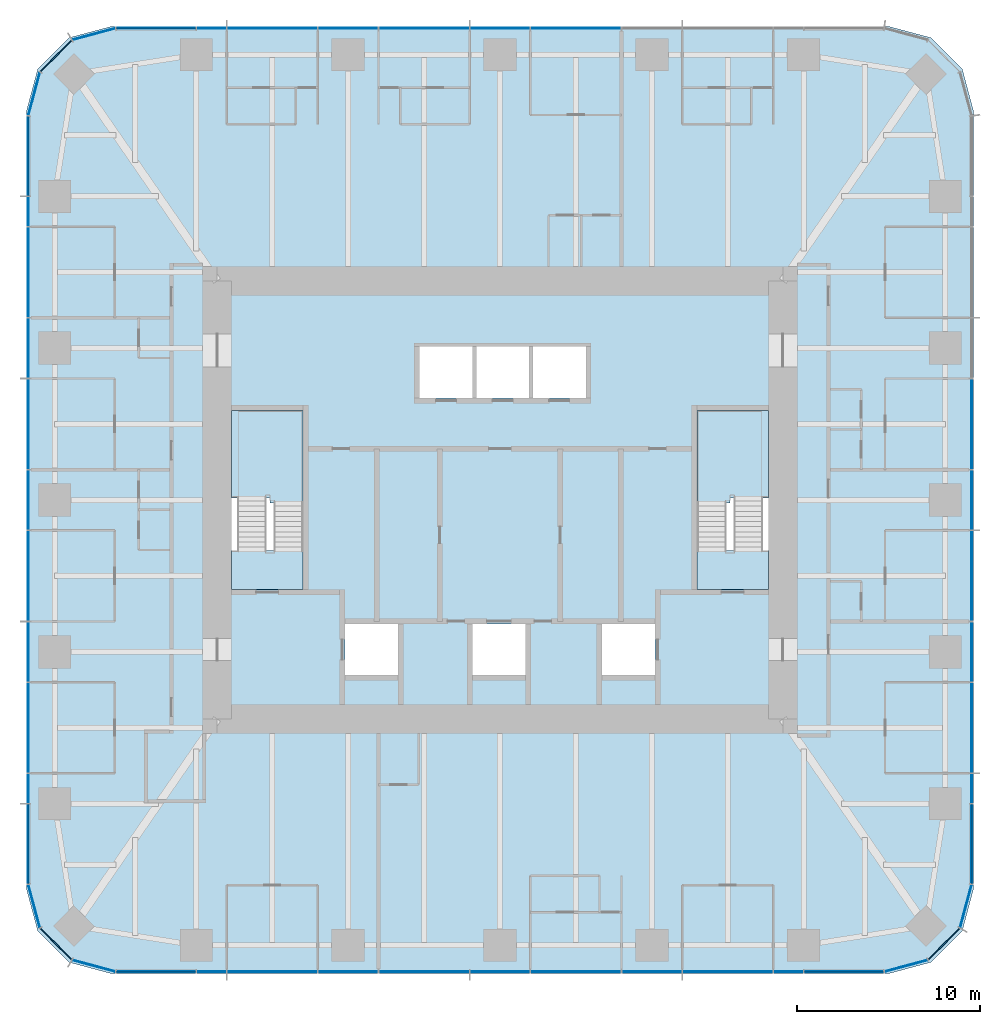
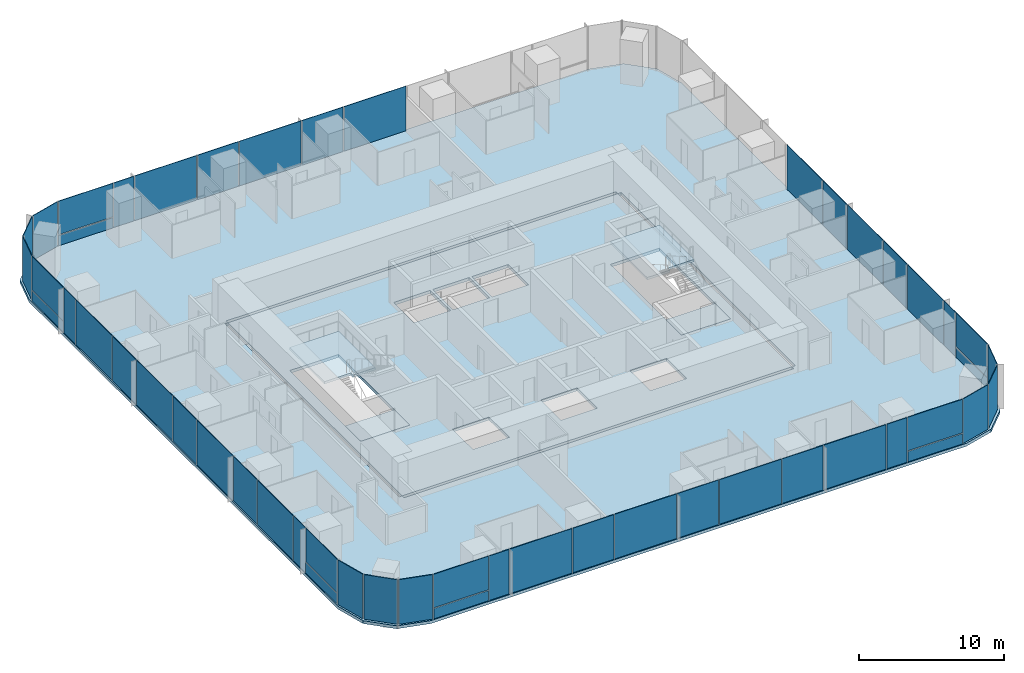
# One storey, part 7 of 12: 51 plates, 6 slabs, 9 elements without a shape of their own.
"""IFC4 building model written with IfcOpenShell, lengths in metres."""

from ifc_helpers import new_model, si_unit, direction, frame, origin, origin_2d, place, context, subcontext, project, spatial, polyline, rectangle, outline, extrude, material, layer, layer_set, type_object, element, aggregate, save


model = new_model("IFC4")

# Units and contexts
model_context = context("Model", 3, precision=1e-05, world=origin(), true_north=direction((0.0, 1.0)))
body_context = subcontext(model_context, "Body", "Model", "MODEL_VIEW")
ifc_project = project(units=[si_unit("LENGTHUNIT", "METRE"), si_unit("AREAUNIT", "SQUARE_METRE"), si_unit("VOLUMEUNIT", "CUBIC_METRE"), si_unit("PLANEANGLEUNIT", "RADIAN"), si_unit("MASSUNIT", "GRAM", prefix="KILO")], contexts=[model_context])

# Site, building, storey
site_placement = place(None, origin())
site = spatial("IfcSite", under=ifc_project, at=site_placement, CompositionType="ELEMENT")
building_placement = place(site_placement, origin())
building = spatial("IfcBuilding", under=site, at=building_placement, Name="Khuree Lantern Residences", CompositionType="ELEMENT")
storey_placement = place(building_placement, frame((0.0, 0.0, 244.5)))
storey = spatial("IfcBuildingStorey", under=building, at=storey_placement, Name="L61", CompositionType="ELEMENT", Elevation=244.5)

# Slab
ifc_material_1 = material(Name="Concrete C35/45", Category="concrete")
ifc_layer_1 = layer(ifc_material_1, 0.25)
ifc_layer_set_1 = layer_set([ifc_layer_1], Name="CFL250 CORE FLOOR SLAB 250")
slab_type_1 = type_object("IfcSlabType", Name="CFL250 CORE FLOOR SLAB 250", PredefinedType="FLOOR", material=ifc_layer_set_1)
slab_1_placement = place(storey_placement, frame((0.0, 0.0, -0.25)))
element("IfcSlab", 1, at=slab_1_placement, inside=storey, type_object=slab_type_1, Name="Core floor L61", PredefinedType="FLOOR", context=body_context, shape_type="SweptSolid", body=[
    extrude(outline(polyline([(-15.5, -12.0), (-15.5, 12.0), (15.5, 12.0), (15.5, -12.0), (-15.5, -12.0)]), holes=[polyline([(10.800048828125, 4.89990234375), (10.800048828125, -4.89990234375), (14.699951171875, -4.89990234375), (14.699951171875, 4.89990234375), (10.800048828125, 4.89990234375)]), polyline([(5.60009765625, -6.800048828125), (5.60009765625, -9.60009765625), (8.5, -9.60009765625), (8.5, -6.800048828125), (5.60009765625, -6.800048828125)]), polyline([(1.800048828125, 8.39990234375), (1.800048828125, 5.60009765625), (4.699951171875, 5.60009765625), (4.699951171875, 8.39990234375), (1.800048828125, 8.39990234375)]), polyline([(-1.300048828125, 8.39990234375), (-1.300048828125, 5.60009765625), (1.60009765625, 5.60009765625), (1.60009765625, 8.39990234375), (-1.300048828125, 8.39990234375)]), polyline([(-1.5, -6.800048828125), (-1.5, -9.60009765625), (1.39990234375, -9.60009765625), (1.39990234375, -6.800048828125), (-1.5, -6.800048828125)]), polyline([(-4.39990234375, 8.39990234375), (-4.39990234375, 5.60009765625), (-1.5, 5.60009765625), (-1.5, 8.39990234375), (-4.39990234375, 8.39990234375)]), polyline([(-8.5, -6.800048828125), (-8.5, -9.60009765625), (-5.60009765625, -9.60009765625), (-5.60009765625, -6.800048828125), (-8.5, -6.800048828125)]), polyline([(-14.699951171875, 4.89990234375), (-14.699951171875, -4.89990234375), (-10.800048828125, -4.89990234375), (-10.800048828125, 4.89990234375), (-14.699951171875, 4.89990234375)])]), origin(), (0.0, 0.0, 1.0), 0.25),
])

# Curtain wall, plates
ifc_material_2 = material(Name="Bronze anodised aluminium", Category="aluminium")
curtain_wall_type_1 = type_object("IfcCurtainWallType", Name="CW-T2 TOWER CORNER CURTAIN WALL", PredefinedType="USERDEFINED", material=ifc_material_2)
curtain_wall_1_placement = place(storey_placement, origin())
curtain_wall_1 = element("IfcCurtainWall", 2, at=curtain_wall_1_placement, inside=storey, type_object=curtain_wall_type_1, Name="L61 SOUTH-EAST CORNER CURTAIN WALL", ObjectType="Faceted corner curtain wall", PredefinedType="USERDEFINED")
ifc_material_3 = material(Name="Bronze tinted triple glazing", Category="glass")
ifc_layer_2 = layer(ifc_material_3, 0.048095703125)
ifc_layer_set_2 = layer_set([ifc_layer_2], Name="FACET PANEL P4")
plate_type_1 = type_object("IfcPlateType", Name="FACET PANEL P4", PredefinedType="CURTAIN_PANEL", material=ifc_layer_set_2)
plate_1_placement = place(storey_placement, frame((22.248046875, -25.529052734375, 0.0), z_axis=(0.0, 0.0, 1.0), x_axis=(0.965925832509, 0.258819021888, 0.0)))
plate_1 = element("IfcPlate", 3, at=plate_1_placement, type_object=plate_type_1, Name="L61 SOUTH-EAST CORNER PANEL 1.1", PredefinedType="CURTAIN_PANEL", context=body_context, shape_type="SweptSolid", body=[
    extrude(rectangle(XDim=2.40869140625, YDim=0.048095703125, at=origin_2d()), origin(), (0.0, 0.0, 1.0), 3.75),
])
plate_2_placement = place(storey_placement, frame((24.328369140625, -24.328369140625, 0.0), z_axis=(0.0, 0.0, 1.0), x_axis=(0.707106781187, 0.707106781187, 0.0)))
plate_2 = element("IfcPlate", 4, at=plate_2_placement, type_object=plate_type_1, Name="L61 SOUTH-EAST CORNER PANEL 2.1", PredefinedType="CURTAIN_PANEL", context=body_context, shape_type="SweptSolid", body=[
    extrude(rectangle(XDim=2.404541015625, YDim=0.048095703125, at=origin_2d()), origin(), (0.0, 0.0, 1.0), 3.75),
])
plate_3_placement = place(storey_placement, frame((25.529052734375, -22.248046875, 0.0), z_axis=(0.0, 0.0, 1.0), x_axis=(0.258819021888, 0.965925832509, 0.0)))
plate_3 = element("IfcPlate", 5, at=plate_3_placement, type_object=plate_type_1, Name="L61 SOUTH-EAST CORNER PANEL 3.1", PredefinedType="CURTAIN_PANEL", context=body_context, shape_type="SweptSolid", body=[
    extrude(rectangle(XDim=2.40869140625, YDim=0.048095703125, at=origin_2d()), origin(), (0.0, 0.0, 1.0), 3.75),
])
aggregate(curtain_wall_1, [plate_1, plate_2, plate_3])

curtain_wall_2_placement = place(storey_placement, origin())
curtain_wall_2 = element("IfcCurtainWall", 6, at=curtain_wall_2_placement, inside=storey, type_object=curtain_wall_type_1, Name="L61 NORTH-WEST CORNER CURTAIN WALL", ObjectType="Faceted corner curtain wall", PredefinedType="USERDEFINED")
plate_4_placement = place(storey_placement, frame((-22.248046875, 25.529052734375, 0.0), z_axis=(0.0, 0.0, 1.0), x_axis=(-0.965925832509, -0.258819021888, 0.0)))
plate_4 = element("IfcPlate", 7, at=plate_4_placement, type_object=plate_type_1, Name="L61 NORTH-WEST CORNER PANEL 29.1", PredefinedType="CURTAIN_PANEL", context=body_context, shape_type="SweptSolid", body=[
    extrude(rectangle(XDim=2.40869140625, YDim=0.048095703125, at=origin_2d()), origin(), (0.0, 0.0, 1.0), 3.75),
])
plate_5_placement = place(storey_placement, frame((-24.328369140625, 24.328369140625, 0.0), z_axis=(0.0, 0.0, 1.0), x_axis=(-0.707106781187, -0.707106781187, 0.0)))
plate_5 = element("IfcPlate", 8, at=plate_5_placement, type_object=plate_type_1, Name="L61 NORTH-WEST CORNER PANEL 30.1", PredefinedType="CURTAIN_PANEL", context=body_context, shape_type="SweptSolid", body=[
    extrude(rectangle(XDim=2.404541015625, YDim=0.048095703125, at=origin_2d()), origin(), (0.0, 0.0, 1.0), 3.75),
])
plate_6_placement = place(storey_placement, frame((-25.529052734375, 22.248046875, 0.0), z_axis=(0.0, 0.0, 1.0), x_axis=(-0.258819021888, -0.965925832509, 0.0)))
plate_6 = element("IfcPlate", 9, at=plate_6_placement, type_object=plate_type_1, Name="L61 NORTH-WEST CORNER PANEL 31.1", PredefinedType="CURTAIN_PANEL", context=body_context, shape_type="SweptSolid", body=[
    extrude(rectangle(XDim=2.40869140625, YDim=0.048095703125, at=origin_2d()), origin(), (0.0, 0.0, 1.0), 3.75),
])
aggregate(curtain_wall_2, [plate_4, plate_5, plate_6])

curtain_wall_3_placement = place(storey_placement, origin())
curtain_wall_3 = element("IfcCurtainWall", 10, at=curtain_wall_3_placement, inside=storey, type_object=curtain_wall_type_1, Name="L61 SOUTH-WEST CORNER CURTAIN WALL", ObjectType="Faceted corner curtain wall", PredefinedType="USERDEFINED")
plate_7_placement = place(storey_placement, frame((-25.529052734375, -22.248046875, 0.0), z_axis=(0.0, 0.0, 1.0), x_axis=(0.258819021888, -0.965925832509, 0.0)))
plate_7 = element("IfcPlate", 11, at=plate_7_placement, type_object=plate_type_1, Name="L61 SOUTH-WEST CORNER PANEL 43.1", PredefinedType="CURTAIN_PANEL", context=body_context, shape_type="SweptSolid", body=[
    extrude(rectangle(XDim=2.40869140625, YDim=0.048095703125, at=origin_2d()), origin(), (0.0, 0.0, 1.0), 3.75),
])
plate_8_placement = place(storey_placement, frame((-24.328369140625, -24.328369140625, 0.0), z_axis=(0.0, 0.0, 1.0), x_axis=(0.707106781187, -0.707106781187, 0.0)))
plate_8 = element("IfcPlate", 12, at=plate_8_placement, type_object=plate_type_1, Name="L61 SOUTH-WEST CORNER PANEL 44.1", PredefinedType="CURTAIN_PANEL", context=body_context, shape_type="SweptSolid", body=[
    extrude(rectangle(XDim=2.404541015625, YDim=0.048095703125, at=origin_2d()), origin(), (0.0, 0.0, 1.0), 3.75),
])
plate_9_placement = place(storey_placement, frame((-22.248046875, -25.529052734375, 0.0), z_axis=(0.0, 0.0, 1.0), x_axis=(0.965925832509, -0.258819021888, 0.0)))
plate_9 = element("IfcPlate", 13, at=plate_9_placement, type_object=plate_type_1, Name="L61 SOUTH-WEST CORNER PANEL 45.1", PredefinedType="CURTAIN_PANEL", context=body_context, shape_type="SweptSolid", body=[
    extrude(rectangle(XDim=2.40869140625, YDim=0.048095703125, at=origin_2d()), origin(), (0.0, 0.0, 1.0), 3.75),
])
aggregate(curtain_wall_3, [plate_7, plate_8, plate_9])

curtain_wall_type_2 = type_object("IfcCurtainWallType", Name="CW-T1 TOWER FACE CURTAIN WALL", PredefinedType="USERDEFINED", material=ifc_material_2)
curtain_wall_4_placement = place(storey_placement, origin())
curtain_wall_4 = element("IfcCurtainWall", 14, at=curtain_wall_4_placement, inside=storey, type_object=curtain_wall_type_2, Name="L61 EAST FACE CURTAIN WALL", ObjectType="Stick-built curtain wall", PredefinedType="USERDEFINED")
ifc_material_4 = material(Name="Bronze tinted triple glazing with a ceramic-fritted spandrel band", Category="glass")
ifc_layer_3 = layer(ifc_material_4, 0.048095703125)
ifc_layer_set_3 = layer_set([ifc_layer_3], Name="FIXED LIGHT PANEL P11")
plate_type_2 = type_object("IfcPlateType", Name="FIXED LIGHT PANEL P11", PredefinedType="CURTAIN_PANEL", material=ifc_layer_set_3)
plate_10_placement = place(storey_placement, frame((25.85009765625, -12.47998046875, 0.0), z_axis=(0.0, 0.0, 1.0), x_axis=(0.0, 1.0, 0.0)))
plate_10 = element("IfcPlate", 15, at=plate_10_placement, type_object=plate_type_2, Name="L61 EAST FACE PANEL 6.1", PredefinedType="CURTAIN_PANEL", context=body_context, shape_type="SweptSolid", body=[
    extrude(rectangle(XDim=4.927001953125, YDim=0.048095703125, at=origin_2d()), origin(), (0.0, 0.0, 1.0), 3.75),
])
plate_11_placement = place(storey_placement, frame((25.85009765625, -4.159912109375, 0.0), z_axis=(0.0, 0.0, 1.0), x_axis=(0.0, 1.0, 0.0)))
plate_11 = element("IfcPlate", 16, at=plate_11_placement, type_object=plate_type_2, Name="L61 EAST FACE PANEL 8.1", PredefinedType="CURTAIN_PANEL", context=body_context, shape_type="SweptSolid", body=[
    extrude(rectangle(XDim=4.927001953125, YDim=0.048095703125, at=origin_2d()), origin(), (0.0, 0.0, 1.0), 3.75),
])
plate_12_placement = place(storey_placement, frame((25.85009765625, 4.159912109375, 0.0), z_axis=(0.0, 0.0, 1.0), x_axis=(0.0, 1.0, 0.0)))
plate_12 = element("IfcPlate", 17, at=plate_12_placement, type_object=plate_type_2, Name="L61 EAST FACE PANEL 10.1", PredefinedType="CURTAIN_PANEL", context=body_context, shape_type="SweptSolid", body=[
    extrude(rectangle(XDim=4.927001953125, YDim=0.048095703125, at=origin_2d()), origin(), (0.0, 0.0, 1.0), 3.75),
])

curtain_wall_5_placement = place(storey_placement, origin())
curtain_wall_5 = element("IfcCurtainWall", 18, at=curtain_wall_5_placement, inside=storey, type_object=curtain_wall_type_2, Name="L61 NORTH FACE CURTAIN WALL", ObjectType="Stick-built curtain wall", PredefinedType="USERDEFINED")
plate_13_placement = place(storey_placement, frame((4.159912109375, 25.85009765625, 0.0), z_axis=(0.0, 0.0, 1.0), x_axis=(-1.0, 0.0, 0.0)))
plate_13 = element("IfcPlate", 19, at=plate_13_placement, type_object=plate_type_2, Name="L61 NORTH FACE PANEL 22.1", PredefinedType="CURTAIN_PANEL", context=body_context, shape_type="SweptSolid", body=[
    extrude(rectangle(XDim=4.927001953125, YDim=0.048095703125, at=origin_2d()), origin(), (0.0, 0.0, 1.0), 3.75),
])
plate_14_placement = place(storey_placement, frame((-4.159912109375, 25.85009765625, 0.0), z_axis=(0.0, 0.0, 1.0), x_axis=(-1.0, 0.0, 0.0)))
plate_14 = element("IfcPlate", 20, at=plate_14_placement, type_object=plate_type_2, Name="L61 NORTH FACE PANEL 24.1", PredefinedType="CURTAIN_PANEL", context=body_context, shape_type="SweptSolid", body=[
    extrude(rectangle(XDim=4.927001953125, YDim=0.048095703125, at=origin_2d()), origin(), (0.0, 0.0, 1.0), 3.75),
])
plate_15_placement = place(storey_placement, frame((-12.47998046875, 25.85009765625, 0.0), z_axis=(0.0, 0.0, 1.0), x_axis=(-1.0, 0.0, 0.0)))
plate_15 = element("IfcPlate", 21, at=plate_15_placement, type_object=plate_type_2, Name="L61 NORTH FACE PANEL 26.1", PredefinedType="CURTAIN_PANEL", context=body_context, shape_type="SweptSolid", body=[
    extrude(rectangle(XDim=4.927001953125, YDim=0.048095703125, at=origin_2d()), origin(), (0.0, 0.0, 1.0), 3.75),
])

curtain_wall_6_placement = place(storey_placement, origin())
curtain_wall_6 = element("IfcCurtainWall", 22, at=curtain_wall_6_placement, inside=storey, type_object=curtain_wall_type_2, Name="L61 WEST FACE CURTAIN WALL", ObjectType="Stick-built curtain wall", PredefinedType="USERDEFINED")
plate_16_placement = place(storey_placement, frame((-25.85009765625, 12.47998046875, 0.0), z_axis=(0.0, 0.0, 1.0), x_axis=(0.0, -1.0, 0.0)))
plate_16 = element("IfcPlate", 23, at=plate_16_placement, type_object=plate_type_2, Name="L61 WEST FACE PANEL 34.1", PredefinedType="CURTAIN_PANEL", context=body_context, shape_type="SweptSolid", body=[
    extrude(rectangle(XDim=4.927001953125, YDim=0.048095703125, at=origin_2d()), origin(), (0.0, 0.0, 1.0), 3.75),
])
plate_17_placement = place(storey_placement, frame((-25.85009765625, 4.159912109375, 0.0), z_axis=(0.0, 0.0, 1.0), x_axis=(0.0, -1.0, 0.0)))
plate_17 = element("IfcPlate", 24, at=plate_17_placement, type_object=plate_type_2, Name="L61 WEST FACE PANEL 36.1", PredefinedType="CURTAIN_PANEL", context=body_context, shape_type="SweptSolid", body=[
    extrude(rectangle(XDim=4.927001953125, YDim=0.048095703125, at=origin_2d()), origin(), (0.0, 0.0, 1.0), 3.75),
])
plate_18_placement = place(storey_placement, frame((-25.85009765625, -4.159912109375, 0.0), z_axis=(0.0, 0.0, 1.0), x_axis=(0.0, -1.0, 0.0)))
plate_18 = element("IfcPlate", 25, at=plate_18_placement, type_object=plate_type_2, Name="L61 WEST FACE PANEL 38.1", PredefinedType="CURTAIN_PANEL", context=body_context, shape_type="SweptSolid", body=[
    extrude(rectangle(XDim=4.927001953125, YDim=0.048095703125, at=origin_2d()), origin(), (0.0, 0.0, 1.0), 3.75),
])
plate_19_placement = place(storey_placement, frame((-25.85009765625, -12.47998046875, 0.0), z_axis=(0.0, 0.0, 1.0), x_axis=(0.0, -1.0, 0.0)))
plate_19 = element("IfcPlate", 26, at=plate_19_placement, type_object=plate_type_2, Name="L61 WEST FACE PANEL 40.1", PredefinedType="CURTAIN_PANEL", context=body_context, shape_type="SweptSolid", body=[
    extrude(rectangle(XDim=4.927001953125, YDim=0.048095703125, at=origin_2d()), origin(), (0.0, 0.0, 1.0), 3.75),
])

curtain_wall_7_placement = place(storey_placement, origin())
curtain_wall_7 = element("IfcCurtainWall", 27, at=curtain_wall_7_placement, inside=storey, type_object=curtain_wall_type_2, Name="L61 SOUTH FACE CURTAIN WALL", ObjectType="Stick-built curtain wall", PredefinedType="USERDEFINED")
plate_20_placement = place(storey_placement, frame((-12.47998046875, -25.85009765625, 0.0), z_axis=(0.0, 0.0, 1.0), x_axis=(1.0, 0.0, 0.0)))
plate_20 = element("IfcPlate", 28, at=plate_20_placement, type_object=plate_type_2, Name="L61 SOUTH FACE PANEL 48.1", PredefinedType="CURTAIN_PANEL", context=body_context, shape_type="SweptSolid", body=[
    extrude(rectangle(XDim=4.927001953125, YDim=0.048095703125, at=origin_2d()), origin(), (0.0, 0.0, 1.0), 3.75),
])
plate_21_placement = place(storey_placement, frame((-4.159912109375, -25.85009765625, 0.0), z_axis=(0.0, 0.0, 1.0), x_axis=(1.0, 0.0, 0.0)))
plate_21 = element("IfcPlate", 29, at=plate_21_placement, type_object=plate_type_2, Name="L61 SOUTH FACE PANEL 50.1", PredefinedType="CURTAIN_PANEL", context=body_context, shape_type="SweptSolid", body=[
    extrude(rectangle(XDim=4.927001953125, YDim=0.048095703125, at=origin_2d()), origin(), (0.0, 0.0, 1.0), 3.75),
])
plate_22_placement = place(storey_placement, frame((4.159912109375, -25.85009765625, 0.0), z_axis=(0.0, 0.0, 1.0), x_axis=(1.0, 0.0, 0.0)))
plate_22 = element("IfcPlate", 30, at=plate_22_placement, type_object=plate_type_2, Name="L61 SOUTH FACE PANEL 52.1", PredefinedType="CURTAIN_PANEL", context=body_context, shape_type="SweptSolid", body=[
    extrude(rectangle(XDim=4.927001953125, YDim=0.048095703125, at=origin_2d()), origin(), (0.0, 0.0, 1.0), 3.75),
])
plate_23_placement = place(storey_placement, frame((12.47998046875, -25.85009765625, 0.0), z_axis=(0.0, 0.0, 1.0), x_axis=(1.0, 0.0, 0.0)))
plate_23 = element("IfcPlate", 31, at=plate_23_placement, type_object=plate_type_2, Name="L61 SOUTH FACE PANEL 54.1", PredefinedType="CURTAIN_PANEL", context=body_context, shape_type="SweptSolid", body=[
    extrude(rectangle(XDim=4.927001953125, YDim=0.048095703125, at=origin_2d()), origin(), (0.0, 0.0, 1.0), 3.75),
])

# Slab
ifc_layer_4 = layer(ifc_material_1, 0.25)
ifc_layer_set_4 = layer_set([ifc_layer_4], Name="FS250 FLOOR SLAB 250")
slab_type_2 = type_object("IfcSlabType", Name="FS250 FLOOR SLAB 250", PredefinedType="FLOOR", material=ifc_layer_set_4)
slab_2_placement = place(storey_placement, frame((0.0, 0.0, -0.25)))
element("IfcSlab", 32, at=slab_2_placement, inside=storey, type_object=slab_type_2, Name="Floor slab L61", PredefinedType="FLOOR", context=body_context, shape_type="SweptSolid", body=[
    extrude(outline(polyline([(-23.625, -25.326904296875), (-25.326904296875, -23.625), (-25.949951171875, -21.300048828125), (-25.949951171875, 21.300048828125), (-25.326904296875, 23.625), (-23.625, 25.326904296875), (-21.300048828125, 25.949951171875), (21.300048828125, 25.949951171875), (23.625, 25.326904296875), (25.326904296875, 23.625), (25.949951171875, 21.300048828125), (25.949951171875, -21.300048828125), (25.326904296875, -23.625), (23.625, -25.326904296875), (21.300048828125, -25.949951171875), (-21.300048828125, -25.949951171875), (-23.625, -25.326904296875)]), holes=[polyline([(15.75, 12.0), (15.5, 12.0), (15.5, 12.25), (-15.5, 12.25), (-15.5, 12.0), (-15.75, 12.0), (-15.75, -12.0), (-15.5, -12.0), (-15.5, -12.25), (15.5, -12.25), (15.5, -12.0), (15.75, -12.0), (15.75, 12.0)])]), origin(), (0.0, 0.0, 1.0), 0.25),
])

# Plate
ifc_material_5 = material(Name="Bronze tinted triple glazing, two aluminium-framed sashes in one frame", Category="aluminium")
ifc_layer_5 = layer(ifc_material_5, 0.048095703125)
ifc_layer_set_5 = layer_set([ifc_layer_5], Name="SASH PAIR PANEL P12")
plate_type_3 = type_object("IfcPlateType", Name="SASH PAIR PANEL P12", PredefinedType="CURTAIN_PANEL", material=ifc_layer_set_5)
plate_24_placement = place(storey_placement, frame((25.85009765625, -8.320068359375, 0.0), z_axis=(0.0, 0.0, 1.0), x_axis=(0.0, 1.0, 0.0)))
plate_24 = element("IfcPlate", 33, at=plate_24_placement, type_object=plate_type_3, Name="L61 EAST FACE PANEL 7.1", PredefinedType="CURTAIN_PANEL", context=body_context, shape_type="SweptSolid", body=[
    extrude(rectangle(XDim=3.262939453125, YDim=0.048095703125, at=origin_2d()), origin(), (0.0, 0.0, 1.0), 3.75),
])

plate_25_placement = place(storey_placement, frame((25.85009765625, 0.0, 0.0), z_axis=(0.0, 0.0, 1.0), x_axis=(0.0, 1.0, 0.0)))
plate_25 = element("IfcPlate", 34, at=plate_25_placement, type_object=plate_type_3, Name="L61 EAST FACE PANEL 9.1", PredefinedType="CURTAIN_PANEL", context=body_context, shape_type="SweptSolid", body=[
    extrude(rectangle(XDim=3.262939453125, YDim=0.048095703125, at=origin_2d()), origin(), (0.0, 0.0, 1.0), 3.75),
])

plate_26_placement = place(storey_placement, frame((0.0, 25.85009765625, 0.0), z_axis=(0.0, 0.0, 1.0), x_axis=(-1.0, 0.0, 0.0)))
plate_26 = element("IfcPlate", 35, at=plate_26_placement, type_object=plate_type_3, Name="L61 NORTH FACE PANEL 23.1", PredefinedType="CURTAIN_PANEL", context=body_context, shape_type="SweptSolid", body=[
    extrude(rectangle(XDim=3.262939453125, YDim=0.048095703125, at=origin_2d()), origin(), (0.0, 0.0, 1.0), 3.75),
])

plate_27_placement = place(storey_placement, frame((-8.320068359375, 25.85009765625, 0.0), z_axis=(0.0, 0.0, 1.0), x_axis=(-1.0, 0.0, 0.0)))
plate_27 = element("IfcPlate", 36, at=plate_27_placement, type_object=plate_type_3, Name="L61 NORTH FACE PANEL 25.1", PredefinedType="CURTAIN_PANEL", context=body_context, shape_type="SweptSolid", body=[
    extrude(rectangle(XDim=3.262939453125, YDim=0.048095703125, at=origin_2d()), origin(), (0.0, 0.0, 1.0), 3.75),
])

plate_28_placement = place(storey_placement, frame((-25.85009765625, 8.320068359375, 0.0), z_axis=(0.0, 0.0, 1.0), x_axis=(0.0, -1.0, 0.0)))
plate_28 = element("IfcPlate", 37, at=plate_28_placement, type_object=plate_type_3, Name="L61 WEST FACE PANEL 35.1", PredefinedType="CURTAIN_PANEL", context=body_context, shape_type="SweptSolid", body=[
    extrude(rectangle(XDim=3.262939453125, YDim=0.048095703125, at=origin_2d()), origin(), (0.0, 0.0, 1.0), 3.75),
])

plate_29_placement = place(storey_placement, frame((-25.85009765625, 0.0, 0.0), z_axis=(0.0, 0.0, 1.0), x_axis=(0.0, -1.0, 0.0)))
plate_29 = element("IfcPlate", 38, at=plate_29_placement, type_object=plate_type_3, Name="L61 WEST FACE PANEL 37.1", PredefinedType="CURTAIN_PANEL", context=body_context, shape_type="SweptSolid", body=[
    extrude(rectangle(XDim=3.262939453125, YDim=0.048095703125, at=origin_2d()), origin(), (0.0, 0.0, 1.0), 3.75),
])

plate_30_placement = place(storey_placement, frame((-25.85009765625, -8.320068359375, 0.0), z_axis=(0.0, 0.0, 1.0), x_axis=(0.0, -1.0, 0.0)))
plate_30 = element("IfcPlate", 39, at=plate_30_placement, type_object=plate_type_3, Name="L61 WEST FACE PANEL 39.1", PredefinedType="CURTAIN_PANEL", context=body_context, shape_type="SweptSolid", body=[
    extrude(rectangle(XDim=3.262939453125, YDim=0.048095703125, at=origin_2d()), origin(), (0.0, 0.0, 1.0), 3.75),
])

plate_31_placement = place(storey_placement, frame((-8.320068359375, -25.85009765625, 0.0), z_axis=(0.0, 0.0, 1.0), x_axis=(1.0, 0.0, 0.0)))
plate_31 = element("IfcPlate", 40, at=plate_31_placement, type_object=plate_type_3, Name="L61 SOUTH FACE PANEL 49.1", PredefinedType="CURTAIN_PANEL", context=body_context, shape_type="SweptSolid", body=[
    extrude(rectangle(XDim=3.262939453125, YDim=0.048095703125, at=origin_2d()), origin(), (0.0, 0.0, 1.0), 3.75),
])

plate_32_placement = place(storey_placement, frame((0.0, -25.85009765625, 0.0), z_axis=(0.0, 0.0, 1.0), x_axis=(1.0, 0.0, 0.0)))
plate_32 = element("IfcPlate", 41, at=plate_32_placement, type_object=plate_type_3, Name="L61 SOUTH FACE PANEL 51.1", PredefinedType="CURTAIN_PANEL", context=body_context, shape_type="SweptSolid", body=[
    extrude(rectangle(XDim=3.262939453125, YDim=0.048095703125, at=origin_2d()), origin(), (0.0, 0.0, 1.0), 3.75),
])

plate_33_placement = place(storey_placement, frame((8.320068359375, -25.85009765625, 0.0), z_axis=(0.0, 0.0, 1.0), x_axis=(1.0, 0.0, 0.0)))
plate_33 = element("IfcPlate", 42, at=plate_33_placement, type_object=plate_type_3, Name="L61 SOUTH FACE PANEL 53.1", PredefinedType="CURTAIN_PANEL", context=body_context, shape_type="SweptSolid", body=[
    extrude(rectangle(XDim=3.262939453125, YDim=0.048095703125, at=origin_2d()), origin(), (0.0, 0.0, 1.0), 3.75),
])

ifc_material_6 = material(Name="Bronze tinted triple glazing, aluminium-framed sash", Category="aluminium")
ifc_layer_6 = layer(ifc_material_6, 0.048095703125)
ifc_layer_set_6 = layer_set([ifc_layer_6], Name="SASH PANEL P3")
plate_type_4 = type_object("IfcPlateType", Name="SASH PANEL P3", PredefinedType="CURTAIN_PANEL", material=ifc_layer_set_6)
plate_34_placement = place(storey_placement, frame((25.85009765625, -15.80810546875, 0.0), z_axis=(0.0, 0.0, 1.0), x_axis=(0.0, 1.0, 0.0)))
plate_34 = element("IfcPlate", 43, at=plate_34_placement, type_object=plate_type_4, Name="L61 EAST FACE PANEL 5.1", PredefinedType="CURTAIN_PANEL", context=body_context, shape_type="SweptSolid", body=[
    extrude(rectangle(XDim=1.59912109375, YDim=0.048095703125, at=origin_2d()), origin(), (0.0, 0.0, 1.0), 3.75),
])

plate_35_placement = place(storey_placement, frame((-15.80810546875, 25.85009765625, 0.0), z_axis=(0.0, 0.0, 1.0), x_axis=(-1.0, 0.0, 0.0)))
plate_35 = element("IfcPlate", 44, at=plate_35_placement, type_object=plate_type_4, Name="L61 NORTH FACE PANEL 27.1", PredefinedType="CURTAIN_PANEL", context=body_context, shape_type="SweptSolid", body=[
    extrude(rectangle(XDim=1.59912109375, YDim=0.048095703125, at=origin_2d()), origin(), (0.0, 0.0, 1.0), 3.75),
])

plate_36_placement = place(storey_placement, frame((-25.85009765625, 15.80810546875, 0.0), z_axis=(0.0, 0.0, 1.0), x_axis=(0.0, -1.0, 0.0)))
plate_36 = element("IfcPlate", 45, at=plate_36_placement, type_object=plate_type_4, Name="L61 WEST FACE PANEL 33.1", PredefinedType="CURTAIN_PANEL", context=body_context, shape_type="SweptSolid", body=[
    extrude(rectangle(XDim=1.59912109375, YDim=0.048095703125, at=origin_2d()), origin(), (0.0, 0.0, 1.0), 3.75),
])

plate_37_placement = place(storey_placement, frame((-25.85009765625, -15.80810546875, 0.0), z_axis=(0.0, 0.0, 1.0), x_axis=(0.0, -1.0, 0.0)))
plate_37 = element("IfcPlate", 46, at=plate_37_placement, type_object=plate_type_4, Name="L61 WEST FACE PANEL 41.1", PredefinedType="CURTAIN_PANEL", context=body_context, shape_type="SweptSolid", body=[
    extrude(rectangle(XDim=1.59912109375, YDim=0.048095703125, at=origin_2d()), origin(), (0.0, 0.0, 1.0), 3.75),
])

plate_38_placement = place(storey_placement, frame((-15.80810546875, -25.85009765625, 0.0), z_axis=(0.0, 0.0, 1.0), x_axis=(1.0, 0.0, 0.0)))
plate_38 = element("IfcPlate", 47, at=plate_38_placement, type_object=plate_type_4, Name="L61 SOUTH FACE PANEL 47.1", PredefinedType="CURTAIN_PANEL", context=body_context, shape_type="SweptSolid", body=[
    extrude(rectangle(XDim=1.59912109375, YDim=0.048095703125, at=origin_2d()), origin(), (0.0, 0.0, 1.0), 3.75),
])

plate_39_placement = place(storey_placement, frame((15.80810546875, -25.85009765625, 0.0), z_axis=(0.0, 0.0, 1.0), x_axis=(1.0, 0.0, 0.0)))
plate_39 = element("IfcPlate", 48, at=plate_39_placement, type_object=plate_type_4, Name="L61 SOUTH FACE PANEL 55.1", PredefinedType="CURTAIN_PANEL", context=body_context, shape_type="SweptSolid", body=[
    extrude(rectangle(XDim=1.59912109375, YDim=0.048095703125, at=origin_2d()), origin(), (0.0, 0.0, 1.0), 3.75),
])

ifc_material_7 = material(Name="Bronze anodised aluminium insulated spandrel", Category="aluminium")
ifc_layer_7 = layer(ifc_material_7, 0.06005859375)
ifc_layer_set_7 = layer_set([ifc_layer_7], Name="SPANDREL PANEL P2")
plate_type_5 = type_object("IfcPlateType", Name="SPANDREL PANEL P2", PredefinedType="CURTAIN_PANEL", material=ifc_layer_set_7)
plate_40_placement = place(storey_placement, frame((25.85009765625, -18.8427734375, 0.0), z_axis=(0.0, 0.0, 1.0), x_axis=(0.0, 1.0, 0.0)))
plate_40 = element("IfcPlate", 49, at=plate_40_placement, type_object=plate_type_5, Name="L61 EAST FACE PANEL 4.1", PredefinedType="CURTAIN_PANEL", context=body_context, shape_type="SweptSolid", body=[
    extrude(rectangle(XDim=4.3408203125, YDim=0.06005859375, at=origin_2d()), origin(), (0.0, 0.0, 1.0), 0.867431640625),
])

plate_41_placement = place(storey_placement, frame((-18.8427734375, 25.85009765625, 0.0), z_axis=(0.0, 0.0, 1.0), x_axis=(-1.0, 0.0, 0.0)))
plate_41 = element("IfcPlate", 50, at=plate_41_placement, type_object=plate_type_5, Name="L61 NORTH FACE PANEL 28.1", PredefinedType="CURTAIN_PANEL", context=body_context, shape_type="SweptSolid", body=[
    extrude(rectangle(XDim=4.3408203125, YDim=0.06005859375, at=origin_2d()), origin(), (0.0, 0.0, 1.0), 0.867431640625),
])

plate_42_placement = place(storey_placement, frame((-25.85009765625, 18.8427734375, 0.0), z_axis=(0.0, 0.0, 1.0), x_axis=(0.0, -1.0, 0.0)))
plate_42 = element("IfcPlate", 51, at=plate_42_placement, type_object=plate_type_5, Name="L61 WEST FACE PANEL 32.1", PredefinedType="CURTAIN_PANEL", context=body_context, shape_type="SweptSolid", body=[
    extrude(rectangle(XDim=4.3408203125, YDim=0.06005859375, at=origin_2d()), origin(), (0.0, 0.0, 1.0), 0.867431640625),
])

plate_43_placement = place(storey_placement, frame((-25.85009765625, -18.8427734375, 0.0), z_axis=(0.0, 0.0, 1.0), x_axis=(0.0, -1.0, 0.0)))
plate_43 = element("IfcPlate", 52, at=plate_43_placement, type_object=plate_type_5, Name="L61 WEST FACE PANEL 42.1", PredefinedType="CURTAIN_PANEL", context=body_context, shape_type="SweptSolid", body=[
    extrude(rectangle(XDim=4.3408203125, YDim=0.06005859375, at=origin_2d()), origin(), (0.0, 0.0, 1.0), 0.867431640625),
])

plate_44_placement = place(storey_placement, frame((-18.8427734375, -25.85009765625, 0.0), z_axis=(0.0, 0.0, 1.0), x_axis=(1.0, 0.0, 0.0)))
plate_44 = element("IfcPlate", 53, at=plate_44_placement, type_object=plate_type_5, Name="L61 SOUTH FACE PANEL 46.1", PredefinedType="CURTAIN_PANEL", context=body_context, shape_type="SweptSolid", body=[
    extrude(rectangle(XDim=4.3408203125, YDim=0.06005859375, at=origin_2d()), origin(), (0.0, 0.0, 1.0), 0.867431640625),
])

plate_45_placement = place(storey_placement, frame((18.8427734375, -25.85009765625, 0.0), z_axis=(0.0, 0.0, 1.0), x_axis=(1.0, 0.0, 0.0)))
plate_45 = element("IfcPlate", 54, at=plate_45_placement, type_object=plate_type_5, Name="L61 SOUTH FACE PANEL 56.1", PredefinedType="CURTAIN_PANEL", context=body_context, shape_type="SweptSolid", body=[
    extrude(rectangle(XDim=4.3408203125, YDim=0.06005859375, at=origin_2d()), origin(), (0.0, 0.0, 1.0), 0.867431640625),
])

# Stair, slabs
ifc_material_8 = material(Name="Concrete C40/50", Category="concrete")
stair_type = type_object("IfcStairType", Name="STAIR ST1 HALF TURN 3600", PredefinedType="HALF_TURN_STAIR", material=ifc_material_8)
stair_1_placement = place(storey_placement, origin())
stair_1 = element("IfcStair", 55, at=stair_1_placement, inside=storey, type_object=stair_type, Name="Stair ST1", PredefinedType="HALF_TURN_STAIR")
ifc_layer_8 = layer(ifc_material_8, 0.199951171875)
ifc_layer_set_8 = layer_set([ifc_layer_8], Name="STAIR LANDING SL1 200")
slab_type_3 = type_object("IfcSlabType", Name="STAIR LANDING SL1 200", PredefinedType="LANDING", material=ifc_layer_set_8)
slab_3_placement = place(storey_placement, frame((0.0, 0.0, -0.199951171875)))
slab_3 = element("IfcSlab", 56, at=slab_3_placement, type_object=slab_type_3, Name="ST1 landing 1", PredefinedType="LANDING", context=body_context, shape_type="SweptSolid", body=[
    extrude(outline(polyline([(-14.699951171875, -4.89990234375), (-10.800048828125, -4.89990234375), (-10.800048828125, -2.760009765625), (-14.699951171875, -2.760009765625), (-14.699951171875, -4.89990234375)])), origin(), (0.0, 0.0, 1.0), 0.199951171875),
])
slab_4_placement = place(storey_placement, frame((0.0, 0.0, 1.756591796875)))
slab_4 = element("IfcSlab", 57, at=slab_4_placement, type_object=slab_type_3, Name="ST1 landing 2", PredefinedType="LANDING", context=body_context, shape_type="SweptSolid", body=[
    extrude(outline(polyline([(-14.699951171875, 0.1201171875), (-14.699951171875, 4.89990234375), (-10.800048828125, 4.89990234375), (-10.800048828125, -0.159912109375), (-12.60009765625, -0.159912109375), (-12.60009765625, 0.1201171875), (-14.699951171875, 0.1201171875)])), origin(), (0.0, 0.0, 1.0), 0.199951171875),
])
aggregate(stair_1, [slab_3, slab_4])

stair_2_placement = place(storey_placement, origin())
stair_2 = element("IfcStair", 58, at=stair_2_placement, inside=storey, type_object=stair_type, Name="Stair ST2", PredefinedType="HALF_TURN_STAIR")
slab_5_placement = place(storey_placement, frame((0.0, 0.0, -0.199951171875)))
slab_5 = element("IfcSlab", 59, at=slab_5_placement, type_object=slab_type_3, Name="ST2 landing 1", PredefinedType="LANDING", context=body_context, shape_type="SweptSolid", body=[
    extrude(outline(polyline([(10.800048828125, -4.89990234375), (14.699951171875, -4.89990234375), (14.699951171875, -2.760009765625), (10.800048828125, -2.760009765625), (10.800048828125, -4.89990234375)])), origin(), (0.0, 0.0, 1.0), 0.199951171875),
])
slab_6_placement = place(storey_placement, frame((0.0, 0.0, 1.756591796875)))
slab_6 = element("IfcSlab", 60, at=slab_6_placement, type_object=slab_type_3, Name="ST2 landing 2", PredefinedType="LANDING", context=body_context, shape_type="SweptSolid", body=[
    extrude(outline(polyline([(14.699951171875, 4.89990234375), (14.699951171875, 0.1201171875), (12.60009765625, 0.1201171875), (12.60009765625, -0.159912109375), (10.800048828125, -0.159912109375), (10.800048828125, 4.89990234375), (14.699951171875, 4.89990234375)])), origin(), (0.0, 0.0, 1.0), 0.199951171875),
])
aggregate(stair_2, [slab_5, slab_6])

# Plate
ifc_layer_9 = layer(ifc_material_3, 0.048095703125)
ifc_layer_set_9 = layer_set([ifc_layer_9], Name="VISION PANEL P1")
plate_type_6 = type_object("IfcPlateType", Name="VISION PANEL P1", PredefinedType="CURTAIN_PANEL", material=ifc_layer_set_9)
plate_46_placement = place(storey_placement, frame((25.85009765625, -18.84326171875, 0.9326171875), z_axis=(0.0, 0.0, 1.0), x_axis=(0.0, 1.0, 0.0)))
plate_46 = element("IfcPlate", 61, at=plate_46_placement, type_object=plate_type_6, Name="L61 EAST FACE PANEL 4.2", PredefinedType="CURTAIN_PANEL", context=body_context, shape_type="SweptSolid", body=[
    extrude(rectangle(XDim=4.341552734375, YDim=0.048095703125, at=origin_2d()), origin(), (0.0, 0.0, 1.0), 2.8173828125),
])

aggregate(curtain_wall_4, [plate_40, plate_46, plate_34, plate_10, plate_24, plate_11, plate_25, plate_12])

plate_47_placement = place(storey_placement, frame((-18.84326171875, 25.85009765625, 0.9326171875), z_axis=(0.0, 0.0, 1.0), x_axis=(-1.0, 0.0, 0.0)))
plate_47 = element("IfcPlate", 62, at=plate_47_placement, type_object=plate_type_6, Name="L61 NORTH FACE PANEL 28.2", PredefinedType="CURTAIN_PANEL", context=body_context, shape_type="SweptSolid", body=[
    extrude(rectangle(XDim=4.341552734375, YDim=0.048095703125, at=origin_2d()), origin(), (0.0, 0.0, 1.0), 2.8173828125),
])

aggregate(curtain_wall_5, [plate_13, plate_26, plate_14, plate_27, plate_15, plate_35, plate_41, plate_47])

plate_48_placement = place(storey_placement, frame((-25.85009765625, 18.84326171875, 0.9326171875), z_axis=(0.0, 0.0, 1.0), x_axis=(0.0, -1.0, 0.0)))
plate_48 = element("IfcPlate", 63, at=plate_48_placement, type_object=plate_type_6, Name="L61 WEST FACE PANEL 32.2", PredefinedType="CURTAIN_PANEL", context=body_context, shape_type="SweptSolid", body=[
    extrude(rectangle(XDim=4.341552734375, YDim=0.048095703125, at=origin_2d()), origin(), (0.0, 0.0, 1.0), 2.8173828125),
])

plate_49_placement = place(storey_placement, frame((-25.85009765625, -18.84326171875, 0.9326171875), z_axis=(0.0, 0.0, 1.0), x_axis=(0.0, -1.0, 0.0)))
plate_49 = element("IfcPlate", 64, at=plate_49_placement, type_object=plate_type_6, Name="L61 WEST FACE PANEL 42.2", PredefinedType="CURTAIN_PANEL", context=body_context, shape_type="SweptSolid", body=[
    extrude(rectangle(XDim=4.341552734375, YDim=0.048095703125, at=origin_2d()), origin(), (0.0, 0.0, 1.0), 2.8173828125),
])

aggregate(curtain_wall_6, [plate_42, plate_48, plate_36, plate_16, plate_28, plate_17, plate_29, plate_18, plate_30, plate_19, plate_37, plate_43, plate_49])

plate_50_placement = place(storey_placement, frame((-18.84326171875, -25.85009765625, 0.9326171875), z_axis=(0.0, 0.0, 1.0), x_axis=(1.0, 0.0, 0.0)))
plate_50 = element("IfcPlate", 65, at=plate_50_placement, type_object=plate_type_6, Name="L61 SOUTH FACE PANEL 46.2", PredefinedType="CURTAIN_PANEL", context=body_context, shape_type="SweptSolid", body=[
    extrude(rectangle(XDim=4.341552734375, YDim=0.048095703125, at=origin_2d()), origin(), (0.0, 0.0, 1.0), 2.8173828125),
])

plate_51_placement = place(storey_placement, frame((18.84326171875, -25.85009765625, 0.9326171875), z_axis=(0.0, 0.0, 1.0), x_axis=(1.0, 0.0, 0.0)))
plate_51 = element("IfcPlate", 66, at=plate_51_placement, type_object=plate_type_6, Name="L61 SOUTH FACE PANEL 56.2", PredefinedType="CURTAIN_PANEL", context=body_context, shape_type="SweptSolid", body=[
    extrude(rectangle(XDim=4.341552734375, YDim=0.048095703125, at=origin_2d()), origin(), (0.0, 0.0, 1.0), 2.8173828125),
])

aggregate(curtain_wall_7, [plate_44, plate_50, plate_38, plate_20, plate_31, plate_21, plate_32, plate_22, plate_33, plate_23, plate_39, plate_45, plate_51])

save(model, "model.ifc")
